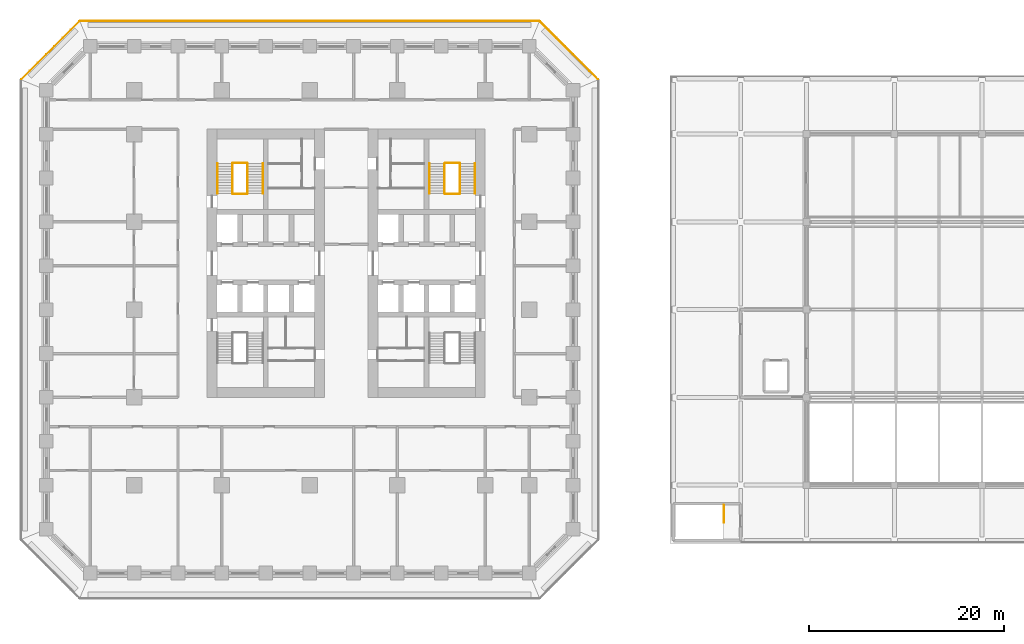
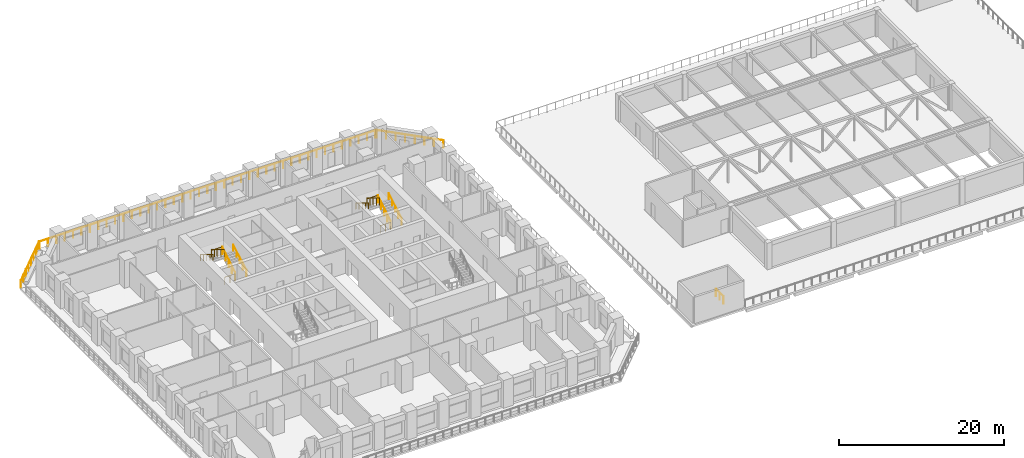
# One storey, part 28 of 30: 16 railings.
"""IFC4 building model written with IfcOpenShell, lengths in metres."""

from ifc_helpers import new_model, si_unit, direction, frame, origin, origin_2d, place, context, subcontext, project, spatial, circle, extrude, material, type_object, element, save


model = new_model("IFC4")

# Units and contexts
model_context = context("Model", 3, precision=1e-05, world=origin(), true_north=direction((0.0, 1.0)))
body_context = subcontext(model_context, "Body", "Model", "MODEL_VIEW")
ifc_project = project(units=[si_unit("LENGTHUNIT", "METRE"), si_unit("AREAUNIT", "SQUARE_METRE"), si_unit("VOLUMEUNIT", "CUBIC_METRE"), si_unit("PLANEANGLEUNIT", "RADIAN"), si_unit("MASSUNIT", "GRAM", prefix="KILO")], contexts=[model_context])

# Site, building, storey
site_placement = place(None, origin())
site = spatial("IfcSite", under=ifc_project, at=site_placement, CompositionType="ELEMENT")
building_placement = place(site_placement, origin())
building = spatial("IfcBuilding", under=site, at=building_placement, Name="Corbel Stack Research Tower", CompositionType="ELEMENT")
storey_placement = place(building_placement, frame((0.0, 0.0, 19.5)))
storey = spatial("IfcBuildingStorey", under=building, at=storey_placement, Name="L04", CompositionType="ELEMENT", Elevation=19.5)

# Railings
ifc_material_1 = material(Name="Steel S235", Category="steel")
railing_type_1 = type_object("IfcRailingType", Name="HR1 guard 1100", PredefinedType="GUARDRAIL", material=ifc_material_1)
railing_1_placement = place(storey_placement, frame((42.47509765625, -20.050048828125, 0.0)))
element("IfcRailing", 1, at=railing_1_placement, inside=storey, type_object=railing_type_1, Name="L04 HS1 top well guard 1", PredefinedType="GUARDRAIL", context=body_context, shape_type="SweptSolid", body=[
    extrude(circle(Radius=0.02392578125, at=origin_2d()), frame((0.0, 0.0, 1.076171875), z_axis=(0.0, -1.0, 0.0), x_axis=(1.0, 0.0, 0.0)), (0.0, 0.0, 1.0), 1.800048828125),
    extrude(circle(Radius=0.02099609375, at=origin_2d()), origin(), (0.0, 0.0, 1.0), 1.052001953125),
    extrude(circle(Radius=0.02099609375, at=origin_2d()), frame((0.0, -0.89990234375, 0.0)), (0.0, 0.0, 1.0), 1.052001953125),
    extrude(circle(Radius=0.02099609375, at=origin_2d()), frame((0.0, -1.800048828125, 0.0)), (0.0, 0.0, 1.0), 1.052001953125),
])
ifc_material_2 = material(Name="Steel S355", Category="steel")
railing_type_2 = type_object("IfcRailingType", Name="Stair guard 1100", PredefinedType="GUARDRAIL", material=ifc_material_2)
railing_2_placement = place(storey_placement, frame((-6.35009765625, 11.89990234375, 0.1708984375)))
element("IfcRailing", 2, at=railing_2_placement, inside=storey, type_object=railing_type_2, Name="L04 ST-W2 stair guard 1", PredefinedType="GUARDRAIL", context=body_context, shape_type="SweptSolid", body=[
    extrude(circle(Radius=0.02392578125, at=origin_2d()), frame((0.0, 0.0, 1.076171875), z_axis=(0.0, 0.853666305674, 0.52082035152), x_axis=(-1.0, 0.0, 0.0)), (0.0, 0.0, 1.0), 3.608154296875),
    extrude(circle(Radius=0.02099609375, at=origin_2d()), origin(), (0.0, 0.0, 1.0), 1.052001953125),
    extrude(circle(Radius=0.02099609375, at=origin_2d()), frame((0.0, 0.77001953125, 0.4697265625)), (0.0, 0.0, 1.0), 1.052001953125),
    extrude(circle(Radius=0.02099609375, at=origin_2d()), frame((0.0, 1.5400390625, 0.939453125)), (0.0, 0.0, 1.0), 1.052001953125),
    extrude(circle(Radius=0.02099609375, at=origin_2d()), frame((0.0, 2.31005859375, 1.409423828125)), (0.0, 0.0, 1.0), 1.052001953125),
    extrude(circle(Radius=0.02099609375, at=origin_2d()), frame((0.0, 3.080078125, 1.879150390625)), (0.0, 0.0, 1.0), 1.052001953125),
])
railing_3_placement = place(storey_placement, frame((-6.39990234375, 15.030029296875, 2.050048828125)))
element("IfcRailing", 3, at=railing_3_placement, inside=storey, type_object=railing_type_2, Name="L04 ST-W2 stair guard 2", PredefinedType="GUARDRAIL", context=body_context, shape_type="SweptSolid", body=[
    extrude(circle(Radius=0.02392578125, at=origin_2d()), frame((0.0, 0.0, 1.076171875), z_axis=(-1.0, 0.0, 0.0), x_axis=(0.0, -1.0, 0.0)), (0.0, 0.0, 1.0), 1.4501953125),
    extrude(circle(Radius=0.02099609375, at=origin_2d()), origin(), (0.0, 0.0, 1.0), 1.052001953125),
    extrude(circle(Radius=0.02099609375, at=origin_2d()), frame((-0.72509765625, 0.0, 0.0)), (0.0, 0.0, 1.0), 1.052001953125),
    extrude(circle(Radius=0.02099609375, at=origin_2d()), frame((-1.4501953125, 0.0, 0.0)), (0.0, 0.0, 1.0), 1.052001953125),
])
railing_4_placement = place(storey_placement, frame((-7.89990234375, 14.97998046875, 2.220947265625)))
element("IfcRailing", 4, at=railing_4_placement, inside=storey, type_object=railing_type_2, Name="L04 ST-W2 stair guard 3", PredefinedType="GUARDRAIL", context=body_context, shape_type="SweptSolid", body=[
    extrude(circle(Radius=0.02392578125, at=origin_2d()), frame((0.0, 0.0, 1.076171875), z_axis=(0.0, -0.853666305674, 0.52082035152), x_axis=(1.0, 0.0, 0.0)), (0.0, 0.0, 1.0), 3.608154296875),
    extrude(circle(Radius=0.02099609375, at=origin_2d()), origin(), (0.0, 0.0, 1.0), 1.052001953125),
    extrude(circle(Radius=0.02099609375, at=origin_2d()), frame((0.0, -0.77001953125, 0.4697265625)), (0.0, 0.0, 1.0), 1.052001953125),
    extrude(circle(Radius=0.02099609375, at=origin_2d()), frame((0.0, -1.5400390625, 0.939453125)), (0.0, 0.0, 1.0), 1.052001953125),
    extrude(circle(Radius=0.02099609375, at=origin_2d()), frame((0.0, -2.31005859375, 1.409423828125)), (0.0, 0.0, 1.0), 1.052001953125),
    extrude(circle(Radius=0.02099609375, at=origin_2d()), frame((0.0, -3.080078125, 1.879150390625)), (0.0, 0.0, 1.0), 1.052001953125),
])
railing_5_placement = place(storey_placement, frame((-6.39990234375, 11.85009765625, 0.0)))
element("IfcRailing", 5, at=railing_5_placement, inside=storey, type_object=railing_type_2, Name="L04 ST-W2 stair guard 4", PredefinedType="GUARDRAIL", context=body_context, shape_type="SweptSolid", body=[
    extrude(circle(Radius=0.02392578125, at=origin_2d()), frame((0.0, 0.0, 1.076171875), z_axis=(-1.0, 0.0, 0.0), x_axis=(0.0, -1.0, 0.0)), (0.0, 0.0, 1.0), 1.4501953125),
    extrude(circle(Radius=0.02099609375, at=origin_2d()), origin(), (0.0, 0.0, 1.0), 1.052001953125),
    extrude(circle(Radius=0.02099609375, at=origin_2d()), frame((-0.72509765625, 0.0, 0.0)), (0.0, 0.0, 1.0), 1.052001953125),
    extrude(circle(Radius=0.02099609375, at=origin_2d()), frame((-1.4501953125, 0.0, 0.0)), (0.0, 0.0, 1.0), 1.052001953125),
])
railing_6_placement = place(storey_placement, frame((15.39990234375, 11.89990234375, 0.1708984375)))
element("IfcRailing", 6, at=railing_6_placement, inside=storey, type_object=railing_type_2, Name="L04 ST-E2 stair guard 1", PredefinedType="GUARDRAIL", context=body_context, shape_type="SweptSolid", body=[
    extrude(circle(Radius=0.02392578125, at=origin_2d()), frame((0.0, 0.0, 1.076171875), z_axis=(0.0, 0.853666305674, 0.52082035152), x_axis=(-1.0, 0.0, 0.0)), (0.0, 0.0, 1.0), 3.608154296875),
    extrude(circle(Radius=0.02099609375, at=origin_2d()), origin(), (0.0, 0.0, 1.0), 1.052001953125),
    extrude(circle(Radius=0.02099609375, at=origin_2d()), frame((0.0, 0.77001953125, 0.4697265625)), (0.0, 0.0, 1.0), 1.052001953125),
    extrude(circle(Radius=0.02099609375, at=origin_2d()), frame((0.0, 1.5400390625, 0.939453125)), (0.0, 0.0, 1.0), 1.052001953125),
    extrude(circle(Radius=0.02099609375, at=origin_2d()), frame((0.0, 2.31005859375, 1.409423828125)), (0.0, 0.0, 1.0), 1.052001953125),
    extrude(circle(Radius=0.02099609375, at=origin_2d()), frame((0.0, 3.080078125, 1.879150390625)), (0.0, 0.0, 1.0), 1.052001953125),
])
railing_7_placement = place(storey_placement, frame((15.35009765625, 15.030029296875, 2.050048828125)))
element("IfcRailing", 7, at=railing_7_placement, inside=storey, type_object=railing_type_2, Name="L04 ST-E2 stair guard 2", PredefinedType="GUARDRAIL", context=body_context, shape_type="SweptSolid", body=[
    extrude(circle(Radius=0.02392578125, at=origin_2d()), frame((0.0, 0.0, 1.076171875), z_axis=(-1.0, 0.0, 0.0), x_axis=(0.0, -1.0, 0.0)), (0.0, 0.0, 1.0), 1.4501953125),
    extrude(circle(Radius=0.02099609375, at=origin_2d()), origin(), (0.0, 0.0, 1.0), 1.052001953125),
    extrude(circle(Radius=0.02099609375, at=origin_2d()), frame((-0.72509765625, 0.0, 0.0)), (0.0, 0.0, 1.0), 1.052001953125),
    extrude(circle(Radius=0.02099609375, at=origin_2d()), frame((-1.4501953125, 0.0, 0.0)), (0.0, 0.0, 1.0), 1.052001953125),
])
railing_8_placement = place(storey_placement, frame((13.85009765625, 14.97998046875, 2.220947265625)))
element("IfcRailing", 8, at=railing_8_placement, inside=storey, type_object=railing_type_2, Name="L04 ST-E2 stair guard 3", PredefinedType="GUARDRAIL", context=body_context, shape_type="SweptSolid", body=[
    extrude(circle(Radius=0.02392578125, at=origin_2d()), frame((0.0, 0.0, 1.076171875), z_axis=(0.0, -0.853666305674, 0.52082035152), x_axis=(1.0, 0.0, 0.0)), (0.0, 0.0, 1.0), 3.608154296875),
    extrude(circle(Radius=0.02099609375, at=origin_2d()), origin(), (0.0, 0.0, 1.0), 1.052001953125),
    extrude(circle(Radius=0.02099609375, at=origin_2d()), frame((0.0, -0.77001953125, 0.4697265625)), (0.0, 0.0, 1.0), 1.052001953125),
    extrude(circle(Radius=0.02099609375, at=origin_2d()), frame((0.0, -1.5400390625, 0.939453125)), (0.0, 0.0, 1.0), 1.052001953125),
    extrude(circle(Radius=0.02099609375, at=origin_2d()), frame((0.0, -2.31005859375, 1.409423828125)), (0.0, 0.0, 1.0), 1.052001953125),
    extrude(circle(Radius=0.02099609375, at=origin_2d()), frame((0.0, -3.080078125, 1.879150390625)), (0.0, 0.0, 1.0), 1.052001953125),
])
railing_9_placement = place(storey_placement, frame((15.35009765625, 11.85009765625, 0.0)))
element("IfcRailing", 9, at=railing_9_placement, inside=storey, type_object=railing_type_2, Name="L04 ST-E2 stair guard 4", PredefinedType="GUARDRAIL", context=body_context, shape_type="SweptSolid", body=[
    extrude(circle(Radius=0.02392578125, at=origin_2d()), frame((0.0, 0.0, 1.076171875), z_axis=(-1.0, 0.0, 0.0), x_axis=(0.0, -1.0, 0.0)), (0.0, 0.0, 1.0), 1.4501953125),
    extrude(circle(Radius=0.02099609375, at=origin_2d()), origin(), (0.0, 0.0, 1.0), 1.052001953125),
    extrude(circle(Radius=0.02099609375, at=origin_2d()), frame((-0.72509765625, 0.0, 0.0)), (0.0, 0.0, 1.0), 1.052001953125),
    extrude(circle(Radius=0.02099609375, at=origin_2d()), frame((-1.4501953125, 0.0, 0.0)), (0.0, 0.0, 1.0), 1.052001953125),
])
ifc_material_3 = material(Name="Steel S355", Category="steel")
railing_type_3 = type_object("IfcRailingType", Name="Stair handrail 900", PredefinedType="HANDRAIL", material=ifc_material_3)
railing_10_placement = place(storey_placement, frame((-4.800048828125, 11.89990234375, 0.1708984375)))
element("IfcRailing", 10, at=railing_10_placement, inside=storey, type_object=railing_type_3, Name="L04 ST-W2 stair handrail 1", PredefinedType="HANDRAIL", context=body_context, shape_type="SweptSolid", body=[
    extrude(circle(Radius=0.02392578125, at=origin_2d()), frame((0.0, 0.0, 0.8759765625), z_axis=(0.0, 0.853666305674, 0.52082035152), x_axis=(-1.0, 0.0, 0.0)), (0.0, 0.0, 1.0), 3.608154296875),
    extrude(circle(Radius=0.02099609375, at=origin_2d()), origin(), (0.0, 0.0, 1.0), 0.851806640625),
    extrude(circle(Radius=0.02099609375, at=origin_2d()), frame((0.0, 0.77001953125, 0.4697265625)), (0.0, 0.0, 1.0), 0.851806640625),
    extrude(circle(Radius=0.02099609375, at=origin_2d()), frame((0.0, 1.5400390625, 0.939453125)), (0.0, 0.0, 1.0), 0.851806640625),
    extrude(circle(Radius=0.02099609375, at=origin_2d()), frame((0.0, 2.31005859375, 1.409423828125)), (0.0, 0.0, 1.0), 0.851806640625),
    extrude(circle(Radius=0.02099609375, at=origin_2d()), frame((0.0, 3.080078125, 1.879150390625)), (0.0, 0.0, 1.0), 0.851806640625),
])
railing_11_placement = place(storey_placement, frame((-9.449951171875, 14.97998046875, 2.220947265625)))
element("IfcRailing", 11, at=railing_11_placement, inside=storey, type_object=railing_type_3, Name="L04 ST-W2 stair handrail 2", PredefinedType="HANDRAIL", context=body_context, shape_type="SweptSolid", body=[
    extrude(circle(Radius=0.02392578125, at=origin_2d()), frame((0.0, 0.0, 0.8759765625), z_axis=(0.0, -0.853666305674, 0.52082035152), x_axis=(1.0, 0.0, 0.0)), (0.0, 0.0, 1.0), 3.608154296875),
    extrude(circle(Radius=0.02099609375, at=origin_2d()), origin(), (0.0, 0.0, 1.0), 0.851806640625),
    extrude(circle(Radius=0.02099609375, at=origin_2d()), frame((0.0, -0.77001953125, 0.4697265625)), (0.0, 0.0, 1.0), 0.851806640625),
    extrude(circle(Radius=0.02099609375, at=origin_2d()), frame((0.0, -1.5400390625, 0.939453125)), (0.0, 0.0, 1.0), 0.851806640625),
    extrude(circle(Radius=0.02099609375, at=origin_2d()), frame((0.0, -2.31005859375, 1.409423828125)), (0.0, 0.0, 1.0), 0.851806640625),
    extrude(circle(Radius=0.02099609375, at=origin_2d()), frame((0.0, -3.080078125, 1.879150390625)), (0.0, 0.0, 1.0), 0.851806640625),
])
railing_12_placement = place(storey_placement, frame((16.949951171875, 11.89990234375, 0.1708984375)))
element("IfcRailing", 12, at=railing_12_placement, inside=storey, type_object=railing_type_3, Name="L04 ST-E2 stair handrail 1", PredefinedType="HANDRAIL", context=body_context, shape_type="SweptSolid", body=[
    extrude(circle(Radius=0.02392578125, at=origin_2d()), frame((0.0, 0.0, 0.8759765625), z_axis=(0.0, 0.853666305674, 0.52082035152), x_axis=(-1.0, 0.0, 0.0)), (0.0, 0.0, 1.0), 3.608154296875),
    extrude(circle(Radius=0.02099609375, at=origin_2d()), origin(), (0.0, 0.0, 1.0), 0.851806640625),
    extrude(circle(Radius=0.02099609375, at=origin_2d()), frame((0.0, 0.77001953125, 0.4697265625)), (0.0, 0.0, 1.0), 0.851806640625),
    extrude(circle(Radius=0.02099609375, at=origin_2d()), frame((0.0, 1.5400390625, 0.939453125)), (0.0, 0.0, 1.0), 0.851806640625),
    extrude(circle(Radius=0.02099609375, at=origin_2d()), frame((0.0, 2.31005859375, 1.409423828125)), (0.0, 0.0, 1.0), 0.851806640625),
    extrude(circle(Radius=0.02099609375, at=origin_2d()), frame((0.0, 3.080078125, 1.879150390625)), (0.0, 0.0, 1.0), 0.851806640625),
])
railing_13_placement = place(storey_placement, frame((12.300048828125, 14.97998046875, 2.220947265625)))
element("IfcRailing", 13, at=railing_13_placement, inside=storey, type_object=railing_type_3, Name="L04 ST-E2 stair handrail 2", PredefinedType="HANDRAIL", context=body_context, shape_type="SweptSolid", body=[
    extrude(circle(Radius=0.02392578125, at=origin_2d()), frame((0.0, 0.0, 0.8759765625), z_axis=(0.0, -0.853666305674, 0.52082035152), x_axis=(1.0, 0.0, 0.0)), (0.0, 0.0, 1.0), 3.608154296875),
    extrude(circle(Radius=0.02099609375, at=origin_2d()), origin(), (0.0, 0.0, 1.0), 0.851806640625),
    extrude(circle(Radius=0.02099609375, at=origin_2d()), frame((0.0, -0.77001953125, 0.4697265625)), (0.0, 0.0, 1.0), 0.851806640625),
    extrude(circle(Radius=0.02099609375, at=origin_2d()), frame((0.0, -1.5400390625, 0.939453125)), (0.0, 0.0, 1.0), 0.851806640625),
    extrude(circle(Radius=0.02099609375, at=origin_2d()), frame((0.0, -2.31005859375, 1.409423828125)), (0.0, 0.0, 1.0), 0.851806640625),
    extrude(circle(Radius=0.02099609375, at=origin_2d()), frame((0.0, -3.080078125, 1.879150390625)), (0.0, 0.0, 1.0), 0.851806640625),
])
ifc_material_4 = material(Name="Powder-coated steel guard", Category="steel")
railing_type_4 = type_object("IfcRailingType", Name="Steel and glass guard 1100", PredefinedType="GUARDRAIL", material=ifc_material_4)
railing_14_placement = place(storey_placement, frame((29.54931640625, 23.627685546875, 0.0)))
element("IfcRailing", 14, at=railing_14_placement, inside=storey, type_object=railing_type_4, Name="Loggia guard L04 NE", PredefinedType="GUARDRAIL", context=body_context, shape_type="SweptSolid", body=[
    extrude(circle(Radius=0.02392578125, at=origin_2d()), frame((0.0, 0.0, 1.076171875), z_axis=(-0.707106781187, 0.707106781187, 0.0), x_axis=(-0.707106781187, -0.707106781187, 0.0)), (0.0, 0.0, 1.0), 8.37451171875),
    extrude(circle(Radius=0.02099609375, at=origin_2d()), origin(), (0.0, 0.0, 1.0), 1.052001953125),
    extrude(circle(Radius=0.02099609375, at=origin_2d()), frame((-0.845947265625, 0.845947265625, 0.0)), (0.0, 0.0, 1.0), 1.052001953125),
    extrude(circle(Radius=0.02099609375, at=origin_2d()), frame((-1.69189453125, 1.69189453125, 0.0)), (0.0, 0.0, 1.0), 1.052001953125),
    extrude(circle(Radius=0.02099609375, at=origin_2d()), frame((-2.537841796875, 2.537841796875, 0.0)), (0.0, 0.0, 1.0), 1.052001953125),
    extrude(circle(Radius=0.02099609375, at=origin_2d()), frame((-3.3837890625, 3.3837890625, 0.0)), (0.0, 0.0, 1.0), 1.052001953125),
    extrude(circle(Radius=0.02099609375, at=origin_2d()), frame((-4.229736328125, 4.229736328125, 0.0)), (0.0, 0.0, 1.0), 1.052001953125),
    extrude(circle(Radius=0.02099609375, at=origin_2d()), frame((-5.07568359375, 5.07568359375, 0.0)), (0.0, 0.0, 1.0), 1.052001953125),
    extrude(circle(Radius=0.02099609375, at=origin_2d()), frame((-5.921630859375, 5.921630859375, 0.0)), (0.0, 0.0, 1.0), 1.052001953125),
])
railing_15_placement = place(storey_placement, frame((23.50537109375, 29.60009765625, 0.0)))
element("IfcRailing", 15, at=railing_15_placement, inside=storey, type_object=railing_type_4, Name="Loggia guard L04 N", PredefinedType="GUARDRAIL", context=body_context, shape_type="SweptSolid", body=[
    extrude(circle(Radius=0.02392578125, at=origin_2d()), frame((0.0, 0.0, 1.076171875), z_axis=(-1.0, 0.0, 0.0), x_axis=(0.0, -1.0, 0.0)), (0.0, 0.0, 1.0), 47.0107421875),
    extrude(circle(Radius=0.02099609375, at=origin_2d()), origin(), (0.0, 0.0, 1.0), 1.052001953125),
    extrude(circle(Radius=0.02099609375, at=origin_2d()), frame((-1.17529296875, 0.0, 0.0)), (0.0, 0.0, 1.0), 1.052001953125),
    extrude(circle(Radius=0.02099609375, at=origin_2d()), frame((-2.3505859375, 0.0, 0.0)), (0.0, 0.0, 1.0), 1.052001953125),
    extrude(circle(Radius=0.02099609375, at=origin_2d()), frame((-3.52587890625, 0.0, 0.0)), (0.0, 0.0, 1.0), 1.052001953125),
    extrude(circle(Radius=0.02099609375, at=origin_2d()), frame((-4.701171875, 0.0, 0.0)), (0.0, 0.0, 1.0), 1.052001953125),
    extrude(circle(Radius=0.02099609375, at=origin_2d()), frame((-5.87646484375, 0.0, 0.0)), (0.0, 0.0, 1.0), 1.052001953125),
    extrude(circle(Radius=0.02099609375, at=origin_2d()), frame((-7.051513671875, 0.0, 0.0)), (0.0, 0.0, 1.0), 1.052001953125),
    extrude(circle(Radius=0.02099609375, at=origin_2d()), frame((-8.226806640625, 0.0, 0.0)), (0.0, 0.0, 1.0), 1.052001953125),
    extrude(circle(Radius=0.02099609375, at=origin_2d()), frame((-9.402099609375, 0.0, 0.0)), (0.0, 0.0, 1.0), 1.052001953125),
    extrude(circle(Radius=0.02099609375, at=origin_2d()), frame((-10.577392578125, 0.0, 0.0)), (0.0, 0.0, 1.0), 1.052001953125),
    extrude(circle(Radius=0.02099609375, at=origin_2d()), frame((-11.752685546875, 0.0, 0.0)), (0.0, 0.0, 1.0), 1.052001953125),
    extrude(circle(Radius=0.02099609375, at=origin_2d()), frame((-12.927978515625, 0.0, 0.0)), (0.0, 0.0, 1.0), 1.052001953125),
    extrude(circle(Radius=0.02099609375, at=origin_2d()), frame((-14.103271484375, 0.0, 0.0)), (0.0, 0.0, 1.0), 1.052001953125),
    extrude(circle(Radius=0.02099609375, at=origin_2d()), frame((-15.278564453125, 0.0, 0.0)), (0.0, 0.0, 1.0), 1.052001953125),
    extrude(circle(Radius=0.02099609375, at=origin_2d()), frame((-16.453857421875, 0.0, 0.0)), (0.0, 0.0, 1.0), 1.052001953125),
    extrude(circle(Radius=0.02099609375, at=origin_2d()), frame((-17.62890625, 0.0, 0.0)), (0.0, 0.0, 1.0), 1.052001953125),
    extrude(circle(Radius=0.02099609375, at=origin_2d()), frame((-18.80419921875, 0.0, 0.0)), (0.0, 0.0, 1.0), 1.052001953125),
    extrude(circle(Radius=0.02099609375, at=origin_2d()), frame((-19.9794921875, 0.0, 0.0)), (0.0, 0.0, 1.0), 1.052001953125),
    extrude(circle(Radius=0.02099609375, at=origin_2d()), frame((-21.15478515625, 0.0, 0.0)), (0.0, 0.0, 1.0), 1.052001953125),
    extrude(circle(Radius=0.02099609375, at=origin_2d()), frame((-22.330078125, 0.0, 0.0)), (0.0, 0.0, 1.0), 1.052001953125),
    extrude(circle(Radius=0.02099609375, at=origin_2d()), frame((-23.50537109375, 0.0, 0.0)), (0.0, 0.0, 1.0), 1.052001953125),
    extrude(circle(Radius=0.02099609375, at=origin_2d()), frame((-24.6806640625, 0.0, 0.0)), (0.0, 0.0, 1.0), 1.052001953125),
    extrude(circle(Radius=0.02099609375, at=origin_2d()), frame((-25.85595703125, 0.0, 0.0)), (0.0, 0.0, 1.0), 1.052001953125),
    extrude(circle(Radius=0.02099609375, at=origin_2d()), frame((-27.03125, 0.0, 0.0)), (0.0, 0.0, 1.0), 1.052001953125),
    extrude(circle(Radius=0.02099609375, at=origin_2d()), frame((-28.20654296875, 0.0, 0.0)), (0.0, 0.0, 1.0), 1.052001953125),
    extrude(circle(Radius=0.02099609375, at=origin_2d()), frame((-29.3818359375, 0.0, 0.0)), (0.0, 0.0, 1.0), 1.052001953125),
    extrude(circle(Radius=0.02099609375, at=origin_2d()), frame((-30.556884765625, 0.0, 0.0)), (0.0, 0.0, 1.0), 1.052001953125),
    extrude(circle(Radius=0.02099609375, at=origin_2d()), frame((-31.732177734375, 0.0, 0.0)), (0.0, 0.0, 1.0), 1.052001953125),
    extrude(circle(Radius=0.02099609375, at=origin_2d()), frame((-32.907470703125, 0.0, 0.0)), (0.0, 0.0, 1.0), 1.052001953125),
    extrude(circle(Radius=0.02099609375, at=origin_2d()), frame((-34.082763671875, 0.0, 0.0)), (0.0, 0.0, 1.0), 1.052001953125),
    extrude(circle(Radius=0.02099609375, at=origin_2d()), frame((-35.258056640625, 0.0, 0.0)), (0.0, 0.0, 1.0), 1.052001953125),
    extrude(circle(Radius=0.02099609375, at=origin_2d()), frame((-36.433349609375, 0.0, 0.0)), (0.0, 0.0, 1.0), 1.052001953125),
    extrude(circle(Radius=0.02099609375, at=origin_2d()), frame((-37.608642578125, 0.0, 0.0)), (0.0, 0.0, 1.0), 1.052001953125),
    extrude(circle(Radius=0.02099609375, at=origin_2d()), frame((-38.783935546875, 0.0, 0.0)), (0.0, 0.0, 1.0), 1.052001953125),
    extrude(circle(Radius=0.02099609375, at=origin_2d()), frame((-39.959228515625, 0.0, 0.0)), (0.0, 0.0, 1.0), 1.052001953125),
    extrude(circle(Radius=0.02099609375, at=origin_2d()), frame((-41.13427734375, 0.0, 0.0)), (0.0, 0.0, 1.0), 1.052001953125),
    extrude(circle(Radius=0.02099609375, at=origin_2d()), frame((-42.3095703125, 0.0, 0.0)), (0.0, 0.0, 1.0), 1.052001953125),
    extrude(circle(Radius=0.02099609375, at=origin_2d()), frame((-43.48486328125, 0.0, 0.0)), (0.0, 0.0, 1.0), 1.052001953125),
    extrude(circle(Radius=0.02099609375, at=origin_2d()), frame((-44.66015625, 0.0, 0.0)), (0.0, 0.0, 1.0), 1.052001953125),
    extrude(circle(Radius=0.02099609375, at=origin_2d()), frame((-45.83544921875, 0.0, 0.0)), (0.0, 0.0, 1.0), 1.052001953125),
    extrude(circle(Radius=0.02099609375, at=origin_2d()), frame((-47.0107421875, 0.0, 0.0)), (0.0, 0.0, 1.0), 1.052001953125),
])
railing_16_placement = place(storey_placement, frame((-23.627685546875, 29.54931640625, 0.0)))
element("IfcRailing", 16, at=railing_16_placement, inside=storey, type_object=railing_type_4, Name="Loggia guard L04 NW", PredefinedType="GUARDRAIL", context=body_context, shape_type="SweptSolid", body=[
    extrude(circle(Radius=0.02392578125, at=origin_2d()), frame((0.0, 0.0, 1.076171875), z_axis=(-0.707106781187, -0.707106781187, 0.0), x_axis=(0.707106781187, -0.707106781187, 0.0)), (0.0, 0.0, 1.0), 8.37451171875),
    extrude(circle(Radius=0.02099609375, at=origin_2d()), origin(), (0.0, 0.0, 1.0), 1.052001953125),
    extrude(circle(Radius=0.02099609375, at=origin_2d()), frame((-0.845947265625, -0.845947265625, 0.0)), (0.0, 0.0, 1.0), 1.052001953125),
    extrude(circle(Radius=0.02099609375, at=origin_2d()), frame((-1.69189453125, -1.69189453125, 0.0)), (0.0, 0.0, 1.0), 1.052001953125),
    extrude(circle(Radius=0.02099609375, at=origin_2d()), frame((-2.537841796875, -2.537841796875, 0.0)), (0.0, 0.0, 1.0), 1.052001953125),
    extrude(circle(Radius=0.02099609375, at=origin_2d()), frame((-3.3837890625, -3.3837890625, 0.0)), (0.0, 0.0, 1.0), 1.052001953125),
    extrude(circle(Radius=0.02099609375, at=origin_2d()), frame((-4.229736328125, -4.229736328125, 0.0)), (0.0, 0.0, 1.0), 1.052001953125),
    extrude(circle(Radius=0.02099609375, at=origin_2d()), frame((-5.07568359375, -5.07568359375, 0.0)), (0.0, 0.0, 1.0), 1.052001953125),
    extrude(circle(Radius=0.02099609375, at=origin_2d()), frame((-5.921630859375, -5.921630859375, 0.0)), (0.0, 0.0, 1.0), 1.052001953125),
])

save(model, "model.ifc")
